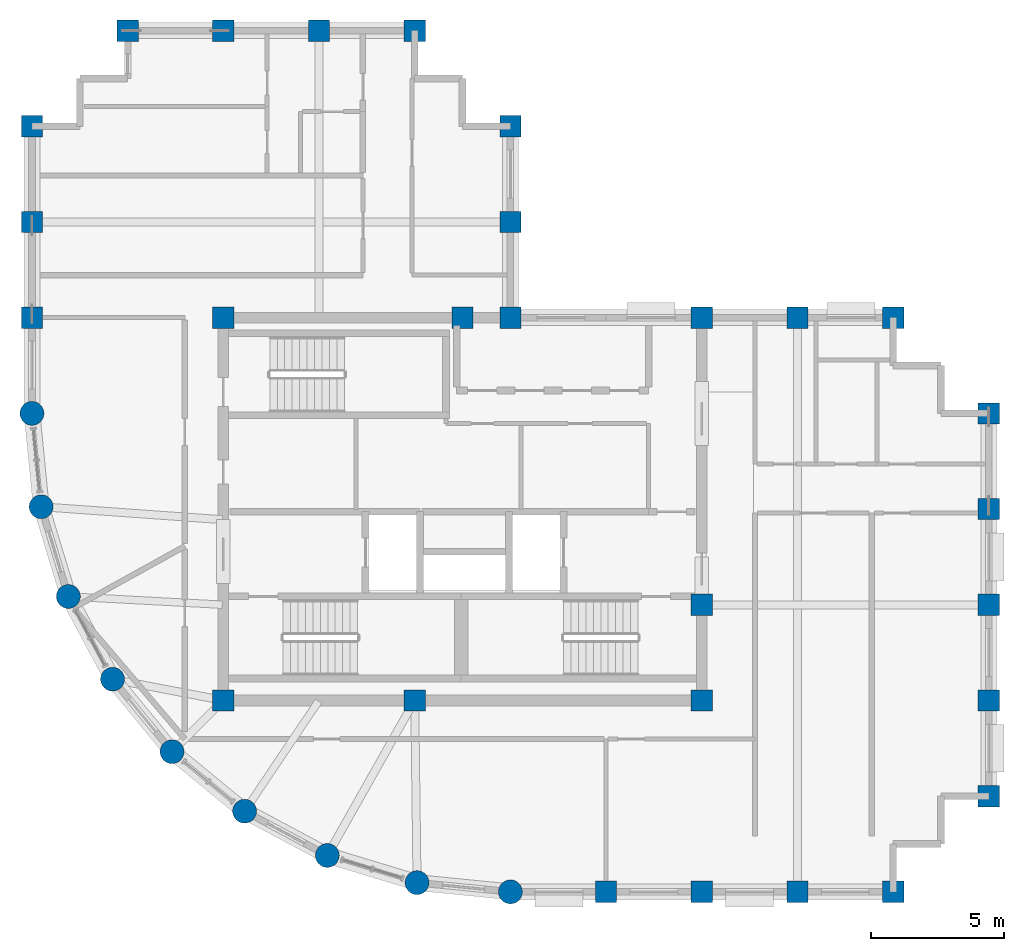
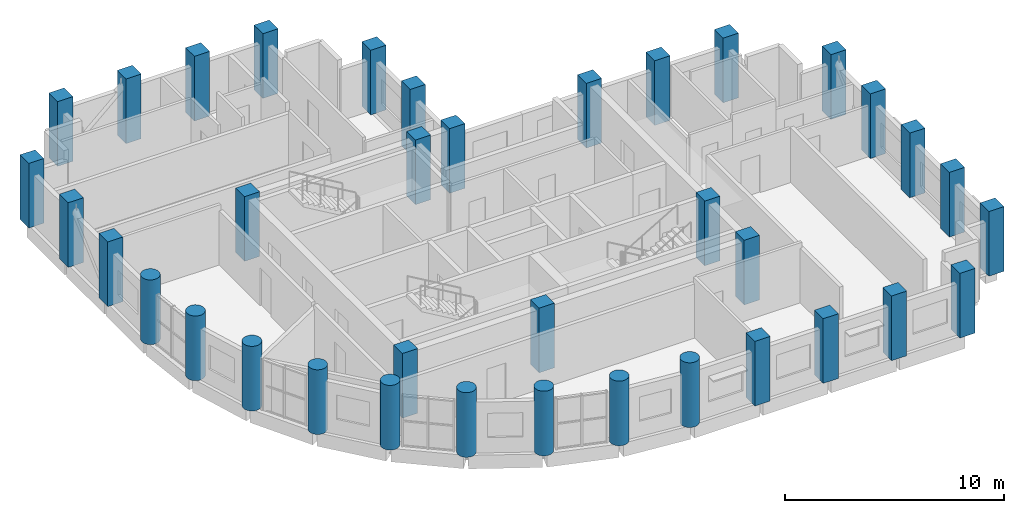
# One storey, part 1 of 11: 37 columns.
"""IFC4 building model written with IfcOpenShell, lengths in metres."""

from ifc_helpers import new_model, si_unit, direction, frame, origin, origin_2d, place, context, subcontext, project, spatial, rectangle, circle, extrude, material, material_profile, profile_set, type_object, element, save


model = new_model("IFC4")

# Units and contexts
model_context = context("Model", 3, precision=1e-05, world=origin(), true_north=direction((0.0, 1.0)))
body_context = subcontext(model_context, "Body", "Model", "MODEL_VIEW")
ifc_project = project(units=[si_unit("LENGTHUNIT", "METRE"), si_unit("AREAUNIT", "SQUARE_METRE"), si_unit("VOLUMEUNIT", "CUBIC_METRE"), si_unit("PLANEANGLEUNIT", "RADIAN"), si_unit("MASSUNIT", "GRAM", prefix="KILO")], contexts=[model_context])

# Site, building, storey
site_placement = place(None, origin())
site = spatial("IfcSite", under=ifc_project, at=site_placement, CompositionType="ELEMENT")
building_placement = place(site_placement, origin())
building = spatial("IfcBuilding", under=site, at=building_placement, Name="Solnavia Interchange Tower", CompositionType="ELEMENT")
storey_placement = place(building_placement, frame((0.0, 0.0, 273.800048828125)))
storey = spatial("IfcBuildingStorey", under=building, at=storey_placement, Name="L69", CompositionType="ELEMENT", Elevation=273.800048828125)

# Columns
ifc_material = material(Name="Concrete C50/60", Category="concrete")
ifc_material_profile_1 = material_profile(ifc_material, rectangle(XDim=0.800048828125, YDim=0.800048828125, at=origin_2d()), Name="RC 800x800")
ifc_profile_set_1 = profile_set([ifc_material_profile_1], Name="Concrete C50/60")
column_type_1 = type_object("IfcColumnType", Name="Col-RC-800x800", PredefinedType="COLUMN", material=ifc_profile_set_1)
for number, where, z_axis, x_axis, name in (
    (1, (7.199951171875, 25.199951171875, 0.0), (0.0, 0.0, 1.0), (0.0, 1.0, 0.0), "COL-L69-02 Tower perim y column"),
    (2, (7.199951171875, 28.800048828125, 0.0), (0.0, 0.0, 1.0), (0.0, 1.0, 0.0), "COL-L69-03 Tower perim y column"),
    (3, (7.199951171875, 32.39990234375, 0.0), (0.0, 0.0, 1.0), (0.0, 1.0, 0.0), "COL-L69-04 Tower corner column"),
    (4, (10.800048828125, 36.0, 0.0), (0.0, 0.0, 1.0), (1.0, 0.0, 0.0), "COL-L69-08 Tower corner column"),
    (5, (14.39990234375, 10.800048828125, 0.0), (0.0, 0.0, 1.0), (1.0, 0.0, 0.0), "COL-L69-10 Tower interior column"),
    (6, (14.39990234375, 25.199951171875, 0.0), (0.0, 0.0, 1.0), (1.0, 0.0, 0.0), "COL-L69-11 Tower interior column"),
    (7, (14.39990234375, 36.0, 0.0), (0.0, 0.0, 1.0), (1.0, 0.0, 0.0), "COL-L69-12 Tower perim x column"),
    (8, (18.0, 36.0, 0.0), (0.0, 0.0, 1.0), (1.0, 0.0, 0.0), "COL-L69-14 Tower perim x column"),
    (9, (21.60009765625, 10.800048828125, 0.0), (0.0, 0.0, 1.0), (1.0, 0.0, 0.0), "COL-L69-16 Tower interior column"),
    (10, (21.60009765625, 36.0, 0.0), (0.0, 0.0, 1.0), (1.0, 0.0, 0.0), "COL-L69-17 Tower corner column"),
    (11, (23.39990234375, 25.199951171875, 0.0), (0.0, 0.0, 1.0), (1.0, 0.0, 0.0), "COL-L69-19 Tower interior column"),
    (12, (25.199951171875, 25.199951171875, 0.0), (0.0, 0.0, 1.0), (1.0, 0.0, 0.0), "COL-L69-21 Tower interior column"),
    (13, (25.199951171875, 28.800048828125, 0.0), (0.0, 0.0, 1.0), (0.0, 1.0, 0.0), "COL-L69-22 Tower perim y column"),
    (14, (25.199951171875, 32.39990234375, 0.0), (0.0, 0.0, 1.0), (0.0, 1.0, 0.0), "COL-L69-23 Tower corner column"),
    (15, (28.800048828125, 3.60009765625, 0.0), (0.0, 0.0, 1.0), (1.0, 0.0, 0.0), "COL-L69-24 Tower perim x column"),
    (16, (32.39990234375, 3.60009765625, 0.0), (0.0, 0.0, 1.0), (1.0, 0.0, 0.0), "COL-L69-25 Tower perim x column"),
    (17, (32.39990234375, 10.800048828125, 0.0), (0.0, 0.0, 1.0), (1.0, 0.0, 0.0), "COL-L69-26 Tower interior column"),
    (18, (32.39990234375, 14.39990234375, 0.0), (0.0, 0.0, 1.0), (1.0, 0.0, 0.0), "COL-L69-27 Tower interior column"),
    (19, (32.39990234375, 25.199951171875, 0.0), (0.0, 0.0, 1.0), (1.0, 0.0, 0.0), "COL-L69-28 Tower interior column"),
    (20, (36.0, 3.60009765625, 0.0), (0.0, 0.0, 1.0), (1.0, 0.0, 0.0), "COL-L69-29 Tower perim x column"),
    (21, (36.0, 25.199951171875, 0.0), (0.0, 0.0, 1.0), (1.0, 0.0, 0.0), "COL-L69-30 Tower perim x column"),
    (22, (39.60009765625, 3.60009765625, 0.0), (0.0, 0.0, 1.0), (1.0, 0.0, 0.0), "COL-L69-31 Tower corner column"),
    (23, (39.60009765625, 25.199951171875, 0.0), (0.0, 0.0, 1.0), (1.0, 0.0, 0.0), "COL-L69-32 Tower corner column"),
    (24, (43.199951171875, 7.199951171875, 0.0), (0.0, 0.0, 1.0), (1.0, 0.0, 0.0), "COL-L69-33 Tower corner column"),
    (25, (43.199951171875, 10.800048828125, 0.0), (0.0, 0.0, 1.0), (0.0, 1.0, 0.0), "COL-L69-34 Tower perim y column"),
    (26, (43.199951171875, 14.39990234375, 0.0), (0.0, 0.0, 1.0), (0.0, 1.0, 0.0), "COL-L69-35 Tower perim y column"),
    (27, (43.199951171875, 18.0, 0.0), (0.0, 0.0, 1.0), (0.0, 1.0, 0.0), "COL-L69-36 Tower perim y column"),
    (28, (43.199951171875, 21.60009765625, 0.0), (0.0, 0.0, 1.0), (0.0, 1.0, 0.0), "COL-L69-37 Tower corner column"),
):
    element("IfcColumn", number, at=place(storey_placement, frame(where, z_axis=z_axis, x_axis=x_axis)), inside=storey, type_object=column_type_1, Name=name, PredefinedType="COLUMN", context=body_context, shape_type="SweptSolid", body=[
        extrude(rectangle(XDim=0.800048828125, YDim=0.800048828125, at=origin_2d()), origin(), (0.0, 0.0, 1.0), 3.599853515625),
    ])
ifc_material_profile_2 = material_profile(ifc_material, circle(Radius=0.449951171875, at=origin_2d()), Name="RC D900")
ifc_profile_set_2 = profile_set([ifc_material_profile_2], Name="Concrete C50/60")
column_type_2 = type_object("IfcColumnType", Name="Col-RC-D900", PredefinedType="COLUMN", material=ifc_profile_set_2)
for number, where, z_axis, x_axis, name in (
    (29, (7.199951171875, 21.60009765625, 0.0), (0.0, 0.0, 1.0), (1.0, 0.0, 0.0), "COL-L69-01 Tower drum column"),
    (30, (7.5458984375, 18.087890625, 0.0), (0.0, 0.0, 1.0), (1.0, 0.0, 0.0), "COL-L69-05 Tower drum column"),
    (31, (8.570068359375, 14.7119140625, 0.0), (0.0, 0.0, 1.0), (1.0, 0.0, 0.0), "COL-L69-06 Tower drum column"),
    (32, (10.23388671875, 11.60009765625, 0.0), (0.0, 0.0, 1.0), (1.0, 0.0, 0.0), "COL-L69-07 Tower drum column"),
    (33, (12.471923828125, 8.8720703125, 0.0), (0.0, 0.0, 1.0), (1.0, 0.0, 0.0), "COL-L69-09 Tower drum column"),
    (34, (15.199951171875, 6.634033203125, 0.0), (0.0, 0.0, 1.0), (1.0, 0.0, 0.0), "COL-L69-13 Tower drum column"),
    (35, (18.31201171875, 4.969970703125, 0.0), (0.0, 0.0, 1.0), (1.0, 0.0, 0.0), "COL-L69-15 Tower drum column"),
    (36, (21.68798828125, 3.946044921875, 0.0), (0.0, 0.0, 1.0), (1.0, 0.0, 0.0), "COL-L69-18 Tower drum column"),
    (37, (25.199951171875, 3.60009765625, 0.0), (0.0, 0.0, 1.0), (1.0, 0.0, 0.0), "COL-L69-20 Tower drum column"),
):
    element("IfcColumn", number, at=place(storey_placement, frame(where, z_axis=z_axis, x_axis=x_axis)), inside=storey, type_object=column_type_2, Name=name, PredefinedType="COLUMN", context=body_context, shape_type="SweptSolid", body=[
        extrude(circle(Radius=0.449951171875, at=origin_2d()), origin(), (0.0, 0.0, 1.0), 3.599853515625),
    ])

save(model, "model.ifc")
